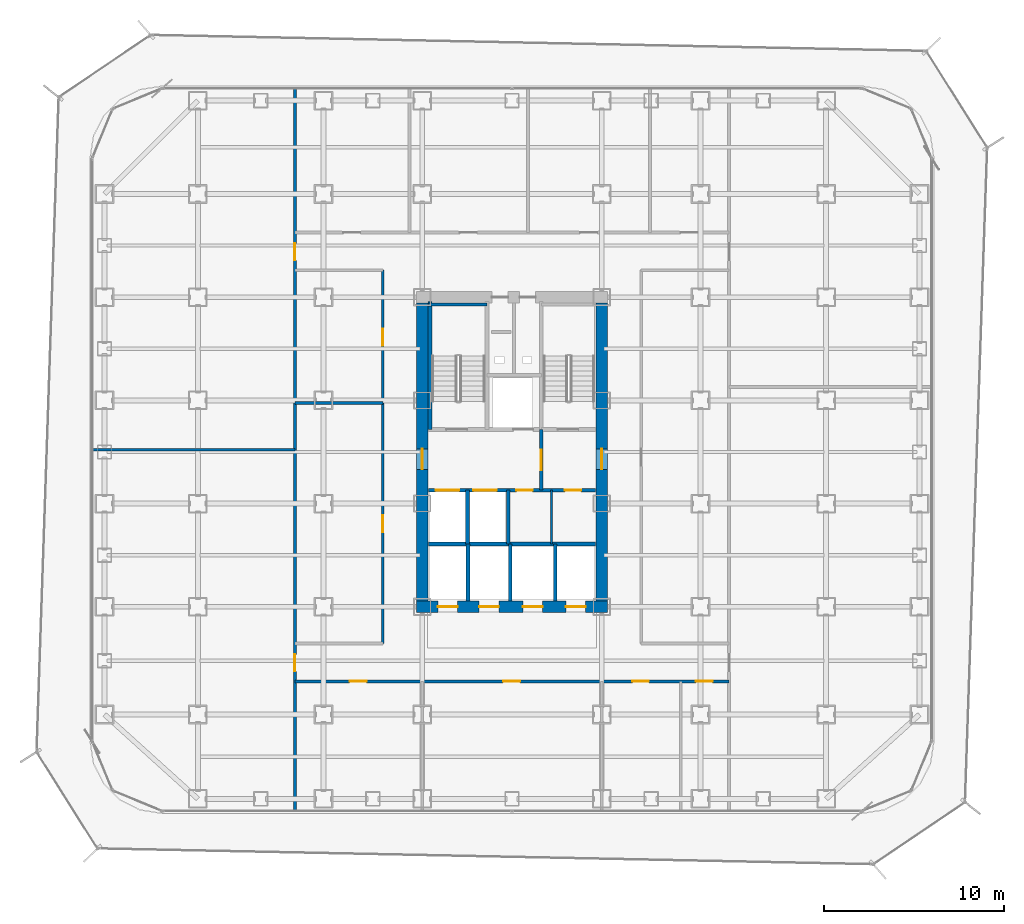
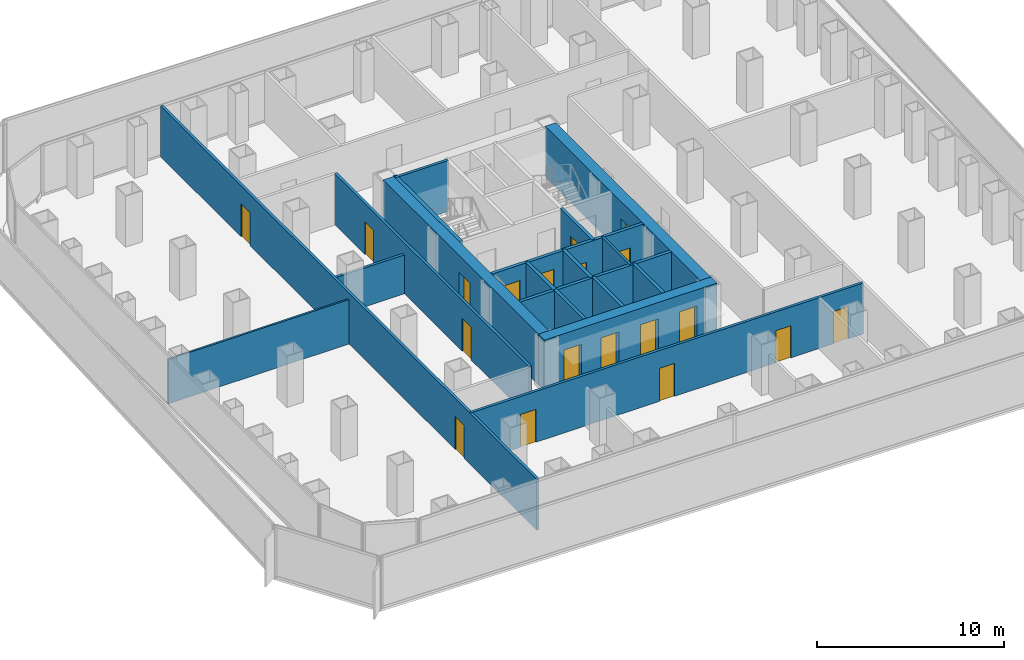
# One storey, part 17 of 21: 19 doors, 19 walls, 19 openings.
"""IFC4 building model written with IfcOpenShell, lengths in metres."""

from ifc_helpers import new_model, si_unit, direction, frame, frame_2d, origin, place, context, subcontext, project, spatial, rectangle, extrude, material, layer, layer_set, type_object, element, fill, save


model = new_model("IFC4")

# Units and contexts
model_context = context("Model", 3, precision=1e-05, world=origin(), true_north=direction((0.0, 1.0)))
body_context = subcontext(model_context, "Body", "Model", "MODEL_VIEW")
ifc_project = project(units=[si_unit("LENGTHUNIT", "METRE"), si_unit("AREAUNIT", "SQUARE_METRE"), si_unit("VOLUMEUNIT", "CUBIC_METRE"), si_unit("PLANEANGLEUNIT", "RADIAN"), si_unit("MASSUNIT", "GRAM", prefix="KILO")], contexts=[model_context])

# Site, building, storey
site_placement = place(None, origin())
site = spatial("IfcSite", under=ifc_project, at=site_placement, CompositionType="ELEMENT")
building_placement = place(site_placement, origin())
building = spatial("IfcBuilding", under=site, at=building_placement, Name="Kolveth Station Tower", CompositionType="ELEMENT")
storey_placement = place(building_placement, frame((0.0, 0.0, 29.699951171875)))
storey = spatial("IfcBuildingStorey", under=building, at=storey_placement, Name="L07", CompositionType="ELEMENT", Elevation=29.699951171875)

# Wall, openings, doors
ifc_material_1 = material(Name="Concrete C60/75", Category="concrete")
ifc_layer_1 = layer(ifc_material_1, 0.64990234375)
ifc_layer_set_1 = layer_set([ifc_layer_1], Name="Concrete C60/75")
wall_type_1 = type_object("IfcWallType", Name="Wall_CW-650", PredefinedType="SHEAR", material=ifc_layer_set_1)
wall_1_placement = place(storey_placement, frame((18.175048828125, 11.5, 0.0), z_axis=(0.0, 0.0, 1.0), x_axis=(1.0, 0.0, 0.0)))
wall_1 = element("IfcWall", 1, at=wall_1_placement, inside=storey, type_object=wall_type_1, Name="L07 Core RC Shear Wall S", PredefinedType="SHEAR", context=body_context, shape_type="SweptSolid", body=[
    extrude(rectangle(XDim=10.64990234375, YDim=0.64990234375, at=frame_2d((5.324951171875, 0.0))), origin(), (0.0, 0.0, 1.0), 3.320068359375),
])
opening_1_placement = place(wall_1_placement, frame((1.195068359375, 0.0, 0.0)))
opening_1 = element("IfcOpeningElement", 2, at=opening_1_placement, cuts=wall_1, Name="Opening LD1", PredefinedType="OPENING", context=body_context, shape_type="SweptSolid", body=[
    extrude(rectangle(XDim=1.10009765625, YDim=2.25, at=frame_2d((0.550048828125, 1.125))), frame((0.0, 0.3349609375, 0.0), z_axis=(0.0, -1.0, 0.0), x_axis=(1.0, 0.0, 0.0)), (0.0, 0.0, 1.0), 0.669921875),
])
opening_2_placement = place(wall_1_placement, frame((3.4951171875, 0.0, 0.0)))
opening_2 = element("IfcOpeningElement", 3, at=opening_2_placement, cuts=wall_1, Name="Opening LD1", PredefinedType="OPENING", context=body_context, shape_type="SweptSolid", body=[
    extrude(rectangle(XDim=1.10009765625, YDim=2.25, at=frame_2d((0.550048828125, 1.125))), frame((0.0, 0.3349609375, 0.0), z_axis=(0.0, -1.0, 0.0), x_axis=(1.0, 0.0, 0.0)), (0.0, 0.0, 1.0), 0.669921875),
])
opening_3_placement = place(wall_1_placement, frame((5.925048828125, 0.0, 0.0)))
opening_3 = element("IfcOpeningElement", 4, at=opening_3_placement, cuts=wall_1, Name="Opening LD1", PredefinedType="OPENING", context=body_context, shape_type="SweptSolid", body=[
    extrude(rectangle(XDim=1.10009765625, YDim=2.25, at=frame_2d((0.550048828125, 1.125))), frame((0.0, 0.3349609375, 0.0), z_axis=(0.0, -1.0, 0.0), x_axis=(1.0, 0.0, 0.0)), (0.0, 0.0, 1.0), 0.669921875),
])
opening_4_placement = place(wall_1_placement, frame((8.324951171875, 0.0, 0.0)))
opening_4 = element("IfcOpeningElement", 5, at=opening_4_placement, cuts=wall_1, Name="Opening LD1", PredefinedType="OPENING", context=body_context, shape_type="SweptSolid", body=[
    extrude(rectangle(XDim=1.10009765625, YDim=2.25, at=frame_2d((0.550048828125, 1.125))), frame((0.0, 0.3349609375, 0.0), z_axis=(0.0, -1.0, 0.0), x_axis=(1.0, 0.0, 0.0)), (0.0, 0.0, 1.0), 0.669921875),
])
ifc_material_2 = material(Name="Brushed stainless steel sliding landing doors", Category="steel")
door_type_1 = type_object("IfcDoorType", Name="Door_LD1", OperationType="NOTDEFINED", PredefinedType="DOOR", material=ifc_material_2)
door_1_placement = place(opening_1_placement, frame((1.10009765625, 0.0, 0.0), z_axis=(0.0, 0.0, 1.0), x_axis=(-1.0, 0.0, 0.0)))
door_1 = element("IfcDoor", 6, at=door_1_placement, inside=storey, type_object=door_type_1, Name="L07 Lift PL1 Landing Door", OperationType="DOUBLE_DOOR_SLIDING", OverallHeight=2.25, OverallWidth=1.10009765625, PredefinedType="DOOR", context=body_context, shape_type="SweptSolid", body=[
    extrude(rectangle(XDim=1.10009765625, YDim=2.25, at=frame_2d((0.550048828125, 1.125))), frame((0.0, 0.02490234375, 0.0), z_axis=(0.0, -1.0, 0.0), x_axis=(1.0, 0.0, 0.0)), (0.0, 0.0, 1.0), 0.050048828125),
])
fill(opening_1, door_1)
door_2_placement = place(opening_2_placement, frame((1.10009765625, 0.0, 0.0), z_axis=(0.0, 0.0, 1.0), x_axis=(-1.0, 0.0, 0.0)))
door_2 = element("IfcDoor", 7, at=door_2_placement, inside=storey, type_object=door_type_1, Name="L07 Lift PL2 Landing Door", OperationType="DOUBLE_DOOR_SLIDING", OverallHeight=2.25, OverallWidth=1.10009765625, PredefinedType="DOOR", context=body_context, shape_type="SweptSolid", body=[
    extrude(rectangle(XDim=1.10009765625, YDim=2.25, at=frame_2d((0.550048828125, 1.125))), frame((0.0, 0.02490234375, 0.0), z_axis=(0.0, -1.0, 0.0), x_axis=(1.0, 0.0, 0.0)), (0.0, 0.0, 1.0), 0.050048828125),
])
fill(opening_2, door_2)
door_3_placement = place(opening_3_placement, frame((1.10009765625, 0.0, 0.0), z_axis=(0.0, 0.0, 1.0), x_axis=(-1.0, 0.0, 0.0)))
door_3 = element("IfcDoor", 8, at=door_3_placement, inside=storey, type_object=door_type_1, Name="L07 Lift PM1 Landing Door", OperationType="DOUBLE_DOOR_SLIDING", OverallHeight=2.25, OverallWidth=1.10009765625, PredefinedType="DOOR", context=body_context, shape_type="SweptSolid", body=[
    extrude(rectangle(XDim=1.10009765625, YDim=2.25, at=frame_2d((0.550048828125, 1.125))), frame((0.0, 0.02490234375, 0.0), z_axis=(0.0, -1.0, 0.0), x_axis=(1.0, 0.0, 0.0)), (0.0, 0.0, 1.0), 0.050048828125),
])
fill(opening_3, door_3)
door_4_placement = place(opening_4_placement, frame((1.10009765625, 0.0, 0.0), z_axis=(0.0, 0.0, 1.0), x_axis=(-1.0, 0.0, 0.0)))
door_4 = element("IfcDoor", 9, at=door_4_placement, inside=storey, type_object=door_type_1, Name="L07 Lift PH1 Landing Door", OperationType="DOUBLE_DOOR_SLIDING", OverallHeight=2.25, OverallWidth=1.10009765625, PredefinedType="DOOR", context=body_context, shape_type="SweptSolid", body=[
    extrude(rectangle(XDim=1.10009765625, YDim=2.25, at=frame_2d((0.550048828125, 1.125))), frame((0.0, 0.02490234375, 0.0), z_axis=(0.0, -1.0, 0.0), x_axis=(1.0, 0.0, 0.0)), (0.0, 0.0, 1.0), 0.050048828125),
])
fill(opening_4, door_4)

# Wall, opening, door
wall_2_placement = place(storey_placement, frame((18.5, 11.824951171875, 0.0), z_axis=(0.0, 0.0, 1.0), x_axis=(0.0, 1.0, 0.0)))
wall_2 = element("IfcWall", 10, at=wall_2_placement, inside=storey, type_object=wall_type_1, Name="L07 Core RC Shear Wall W", PredefinedType="SHEAR", context=body_context, shape_type="SweptSolid", body=[
    extrude(rectangle(XDim=16.60009765625, YDim=0.64990234375, at=frame_2d((8.300048828125, 0.0))), origin(), (0.0, 0.0, 1.0), 3.320068359375),
])
opening_5_placement = place(wall_2_placement, frame((7.324951171875, 0.0, 0.0)))
opening_5 = element("IfcOpeningElement", 11, at=opening_5_placement, cuts=wall_2, Name="Opening FD1", PredefinedType="OPENING", context=body_context, shape_type="SweptSolid", body=[
    extrude(rectangle(XDim=1.14990234375, YDim=2.199951171875, at=frame_2d((0.574951171875, 1.10009765625))), frame((0.0, 0.3349609375, 0.0), z_axis=(0.0, -1.0, 0.0), x_axis=(1.0, 0.0, 0.0)), (0.0, 0.0, 1.0), 0.669921875),
])
ifc_material_3 = material(Name="Fire-rated Steel S355 leaf and frame", Category="steel")
door_type_2 = type_object("IfcDoorType", Name="Door_FD1", OperationType="NOTDEFINED", PredefinedType="DOOR", material=ifc_material_3)
door_5_placement = place(opening_5_placement, frame((1.14990234375, 0.0, 0.0), z_axis=(0.0, 0.0, 1.0), x_axis=(-1.0, 0.0, 0.0)))
door_5 = element("IfcDoor", 12, at=door_5_placement, inside=storey, type_object=door_type_2, Name="L07 West Corridor to Firefighting Lobby Door", OperationType="SINGLE_SWING_RIGHT", OverallHeight=2.199951171875, OverallWidth=1.14990234375, PredefinedType="DOOR", context=body_context, shape_type="SweptSolid", body=[
    extrude(rectangle(XDim=1.14990234375, YDim=2.199951171875, at=frame_2d((0.574951171875, 1.10009765625))), frame((0.0, 0.02490234375, 0.0), z_axis=(0.0, -1.0, 0.0), x_axis=(1.0, 0.0, 0.0)), (0.0, 0.0, 1.0), 0.050048828125),
])
fill(opening_5, door_5)

wall_3_placement = place(storey_placement, frame((28.5, 11.824951171875, 0.0), z_axis=(0.0, 0.0, 1.0), x_axis=(0.0, 1.0, 0.0)))
wall_3 = element("IfcWall", 13, at=wall_3_placement, inside=storey, type_object=wall_type_1, Name="L07 Core RC Shear Wall E", PredefinedType="SHEAR", context=body_context, shape_type="SweptSolid", body=[
    extrude(rectangle(XDim=16.60009765625, YDim=0.64990234375, at=frame_2d((8.300048828125, 0.0))), origin(), (0.0, 0.0, 1.0), 3.320068359375),
])
opening_6_placement = place(wall_3_placement, frame((7.324951171875, 0.0, 0.0)))
opening_6 = element("IfcOpeningElement", 14, at=opening_6_placement, cuts=wall_3, Name="Opening FD1", PredefinedType="OPENING", context=body_context, shape_type="SweptSolid", body=[
    extrude(rectangle(XDim=1.14990234375, YDim=2.199951171875, at=frame_2d((0.574951171875, 1.10009765625))), frame((0.0, 0.3349609375, 0.0), z_axis=(0.0, -1.0, 0.0), x_axis=(1.0, 0.0, 0.0)), (0.0, 0.0, 1.0), 0.669921875),
])
door_6_placement = place(opening_6_placement, origin())
door_6 = element("IfcDoor", 15, at=door_6_placement, inside=storey, type_object=door_type_2, Name="L07 East Corridor to Stair Lobby Door", OperationType="SINGLE_SWING_LEFT", OverallHeight=2.199951171875, OverallWidth=1.14990234375, PredefinedType="DOOR", context=body_context, shape_type="SweptSolid", body=[
    extrude(rectangle(XDim=1.14990234375, YDim=2.199951171875, at=frame_2d((0.574951171875, 1.10009765625))), frame((0.0, 0.02490234375, 0.0), z_axis=(0.0, -1.0, 0.0), x_axis=(1.0, 0.0, 0.0)), (0.0, 0.0, 1.0), 0.050048828125),
])
fill(opening_6, door_6)

# Walls
ifc_material_4 = material(Name="Framed gypsum partition")
ifc_layer_2 = layer(ifc_material_4, 0.114990234375)
ifc_layer_set_2 = layer_set([ifc_layer_2], Name="Framed gypsum partition")
wall_type_2 = type_object("IfcWallType", Name="Wall_IW-115", PredefinedType="PARTITIONING", material=ifc_layer_set_2)
wall_4_placement = place(storey_placement, frame((0.159912109375, 20.25, 0.0), z_axis=(0.0, 0.0, 1.0), x_axis=(1.0, 0.0, 0.0)))
element("IfcWall", 16, at=wall_4_placement, inside=storey, type_object=wall_type_2, Name="L07 Partition Wall WL-L07-OWM", PredefinedType="PARTITIONING", context=body_context, shape_type="SweptSolid", body=[
    extrude(rectangle(XDim=11.239990234375, YDim=0.114990234375, at=frame_2d((5.6201171875, 0.0))), origin(), (0.0, 0.0, 1.0), 2.89794921875),
])
ifc_material_5 = material(Name="Moisture-resistant gypsum partition")
ifc_layer_3 = layer(ifc_material_5, 0.135009765625)
ifc_layer_set_3 = layer_set([ifc_layer_3], Name="Moisture-resistant gypsum partition")
wall_type_3 = type_object("IfcWallType", Name="Wall_IW-135", PredefinedType="PARTITIONING", material=ifc_layer_set_3)
wall_5_placement = place(storey_placement, frame((25.699951171875, 15.0, 0.0), z_axis=(0.0, 0.0, 1.0), x_axis=(0.0, 1.0, 0.0)))
element("IfcWall", 17, at=wall_5_placement, inside=storey, type_object=wall_type_3, Name="L07 Partition Wall WL-L07-CB-V1", PredefinedType="PARTITIONING", context=body_context, shape_type="SweptSolid", body=[
    extrude(rectangle(XDim=3.0, YDim=0.135009765625, at=frame_2d((1.5, 0.0))), origin(), (0.0, 0.0, 1.0), 3.320068359375),
])
ifc_material_6 = material(Name="Acoustic double-stud gypsum partition")
ifc_layer_4 = layer(ifc_material_6, 0.1650390625)
ifc_layer_set_4 = layer_set([ifc_layer_4], Name="Acoustic double-stud gypsum partition")
wall_type_4 = type_object("IfcWallType", Name="Wall_IW-165", PredefinedType="PARTITIONING", material=ifc_layer_set_4)
wall_6_placement = place(storey_placement, frame((18.8349609375, 28.3349609375, 0.0), z_axis=(0.0, 0.0, 1.0), x_axis=(1.0, 0.0, 0.0)))
element("IfcWall", 18, at=wall_6_placement, inside=storey, type_object=wall_type_4, Name="L07 Stair Shaft Wall WL-L07-ST1-N", PredefinedType="PARTITIONING", context=body_context, shape_type="SweptSolid", body=[
    extrude(rectangle(XDim=3.275146484375, YDim=0.1650390625, at=frame_2d((1.6376953125, 0.0))), origin(), (0.0, 0.0, 1.0), 3.320068359375),
])

# Wall, openings, doors
wall_7_placement = place(storey_placement, frame((11.39990234375, 7.35009765625, 0.0), z_axis=(0.0, 0.0, 1.0), x_axis=(1.0, 0.0, 0.0)))
wall_7 = element("IfcWall", 19, at=wall_7_placement, inside=storey, type_object=wall_type_4, Name="L07 Partition Wall WL-L07-OS", PredefinedType="PARTITIONING", context=body_context, shape_type="SweptSolid", body=[
    extrude(rectangle(XDim=24.2001953125, YDim=0.1650390625, at=frame_2d((12.10009765625, 0.0))), origin(), (0.0, 0.0, 1.0), 3.320068359375),
])
opening_7_placement = place(wall_7_placement, frame((3.050048828125, 0.0, 0.0)))
opening_7 = element("IfcOpeningElement", 20, at=opening_7_placement, cuts=wall_7, Name="Opening ID1", PredefinedType="OPENING", context=body_context, shape_type="SweptSolid", body=[
    extrude(rectangle(XDim=0.949951171875, YDim=2.14990234375, at=frame_2d((0.47509765625, 1.074951171875))), frame((0.0, 0.092529296875, 0.0), z_axis=(0.0, -1.0, 0.0), x_axis=(1.0, 0.0, 0.0)), (0.0, 0.0, 1.0), 0.18505859375),
])
opening_8_placement = place(wall_7_placement, frame((11.60009765625, 0.0, 0.0)))
opening_8 = element("IfcOpeningElement", 21, at=opening_8_placement, cuts=wall_7, Name="Opening ID1", PredefinedType="OPENING", context=body_context, shape_type="SweptSolid", body=[
    extrude(rectangle(XDim=0.949951171875, YDim=2.14990234375, at=frame_2d((0.47509765625, 1.074951171875))), frame((0.0, 0.092529296875, 0.0), z_axis=(0.0, -1.0, 0.0), x_axis=(1.0, 0.0, 0.0)), (0.0, 0.0, 1.0), 0.18505859375),
])
opening_9_placement = place(wall_7_placement, frame((18.800048828125, 0.0, 0.0)))
opening_9 = element("IfcOpeningElement", 22, at=opening_9_placement, cuts=wall_7, Name="Opening ID2", PredefinedType="OPENING", context=body_context, shape_type="SweptSolid", body=[
    extrude(rectangle(XDim=0.919921875, YDim=2.10009765625, at=frame_2d((0.4599609375, 1.050048828125))), frame((0.0, 0.092529296875, 0.0), z_axis=(0.0, -1.0, 0.0), x_axis=(1.0, 0.0, 0.0)), (0.0, 0.0, 1.0), 0.18505859375),
])
opening_10_placement = place(wall_7_placement, frame((22.35009765625, 0.0, 0.0)))
opening_10 = element("IfcOpeningElement", 23, at=opening_10_placement, cuts=wall_7, Name="Opening ID2", PredefinedType="OPENING", context=body_context, shape_type="SweptSolid", body=[
    extrude(rectangle(XDim=0.919921875, YDim=2.10009765625, at=frame_2d((0.4599609375, 1.050048828125))), frame((0.0, 0.092529296875, 0.0), z_axis=(0.0, -1.0, 0.0), x_axis=(1.0, 0.0, 0.0)), (0.0, 0.0, 1.0), 0.18505859375),
])
ifc_material_7 = material(Name="Acoustic hardwood leaf and aluminium frame", Category="wood")
door_type_3 = type_object("IfcDoorType", Name="Door_ID1", OperationType="NOTDEFINED", PredefinedType="DOOR", material=ifc_material_7)
door_7_placement = place(opening_7_placement, frame((0.949951171875, 0.0, 0.0), z_axis=(0.0, 0.0, 1.0), x_axis=(-1.0, 0.0, 0.0)))
door_7 = element("IfcDoor", 24, at=door_7_placement, inside=storey, type_object=door_type_3, Name="L07 Open Plan Office S1 Door", OperationType="SINGLE_SWING_RIGHT", OverallHeight=2.14990234375, OverallWidth=0.949951171875, PredefinedType="DOOR", context=body_context, shape_type="SweptSolid", body=[
    extrude(rectangle(XDim=0.949951171875, YDim=2.14990234375, at=frame_2d((0.47509765625, 1.074951171875))), frame((0.0, 0.02490234375, 0.0), z_axis=(0.0, -1.0, 0.0), x_axis=(1.0, 0.0, 0.0)), (0.0, 0.0, 1.0), 0.050048828125),
])
fill(opening_7, door_7)
door_8_placement = place(opening_8_placement, frame((0.949951171875, 0.0, 0.0), z_axis=(0.0, 0.0, 1.0), x_axis=(-1.0, 0.0, 0.0)))
door_8 = element("IfcDoor", 25, at=door_8_placement, inside=storey, type_object=door_type_3, Name="L07 Open Plan Office S2 Door", OperationType="SINGLE_SWING_LEFT", OverallHeight=2.14990234375, OverallWidth=0.949951171875, PredefinedType="DOOR", context=body_context, shape_type="SweptSolid", body=[
    extrude(rectangle(XDim=0.949951171875, YDim=2.14990234375, at=frame_2d((0.47509765625, 1.074951171875))), frame((0.0, 0.02490234375, 0.0), z_axis=(0.0, -1.0, 0.0), x_axis=(1.0, 0.0, 0.0)), (0.0, 0.0, 1.0), 0.050048828125),
])
fill(opening_8, door_8)
ifc_material_8 = material(Name="Moisture-resistant hardwood leaf", Category="wood")
door_type_4 = type_object("IfcDoorType", Name="Door_ID2", OperationType="NOTDEFINED", PredefinedType="DOOR", material=ifc_material_8)
door_9_placement = place(opening_9_placement, frame((0.919921875, 0.0, 0.0), z_axis=(0.0, 0.0, 1.0), x_axis=(-1.0, 0.0, 0.0)))
door_9 = element("IfcDoor", 26, at=door_9_placement, inside=storey, type_object=door_type_4, Name="L07 Male Toilet Door", OperationType="SINGLE_SWING_RIGHT", OverallHeight=2.10009765625, OverallWidth=0.919921875, PredefinedType="DOOR", context=body_context, shape_type="SweptSolid", body=[
    extrude(rectangle(XDim=0.919921875, YDim=2.10009765625, at=frame_2d((0.4599609375, 1.050048828125))), frame((0.0, 0.02490234375, 0.0), z_axis=(0.0, -1.0, 0.0), x_axis=(1.0, 0.0, 0.0)), (0.0, 0.0, 1.0), 0.050048828125),
])
fill(opening_9, door_9)
door_10_placement = place(opening_10_placement, frame((0.919921875, 0.0, 0.0), z_axis=(0.0, 0.0, 1.0), x_axis=(-1.0, 0.0, 0.0)))
door_10 = element("IfcDoor", 27, at=door_10_placement, inside=storey, type_object=door_type_4, Name="L07 Accessible WC Door", OperationType="SINGLE_SWING_LEFT", OverallHeight=2.10009765625, OverallWidth=0.919921875, PredefinedType="DOOR", context=body_context, shape_type="SweptSolid", body=[
    extrude(rectangle(XDim=0.919921875, YDim=2.10009765625, at=frame_2d((0.4599609375, 1.050048828125))), frame((0.0, 0.02490234375, 0.0), z_axis=(0.0, -1.0, 0.0), x_axis=(1.0, 0.0, 0.0)), (0.0, 0.0, 1.0), 0.050048828125),
])
fill(opening_10, door_10)

wall_8_placement = place(storey_placement, frame((16.300048828125, 9.449951171875, 0.0), z_axis=(0.0, 0.0, 1.0), x_axis=(0.0, 1.0, 0.0)))
wall_8 = element("IfcWall", 28, at=wall_8_placement, inside=storey, type_object=wall_type_4, Name="L07 Partition Wall WL-L07-OCW", PredefinedType="PARTITIONING", context=body_context, shape_type="SweptSolid", body=[
    extrude(rectangle(XDim=20.800048828125, YDim=0.1650390625, at=frame_2d((10.39990234375, 0.0))), origin(), (0.0, 0.0, 1.0), 3.320068359375),
])
opening_11_placement = place(wall_8_placement, frame((6.199951171875, 0.0, 0.0)))
opening_11 = element("IfcOpeningElement", 29, at=opening_11_placement, cuts=wall_8, Name="Opening ID1", PredefinedType="OPENING", context=body_context, shape_type="SweptSolid", body=[
    extrude(rectangle(XDim=0.949951171875, YDim=2.14990234375, at=frame_2d((0.47509765625, 1.074951171875))), frame((0.0, 0.092529296875, 0.0), z_axis=(0.0, -1.0, 0.0), x_axis=(1.0, 0.0, 0.0)), (0.0, 0.0, 1.0), 0.18505859375),
])
opening_12_placement = place(wall_8_placement, frame((16.60009765625, 0.0, 0.0)))
opening_12 = element("IfcOpeningElement", 30, at=opening_12_placement, cuts=wall_8, Name="Opening ID1", PredefinedType="OPENING", context=body_context, shape_type="SweptSolid", body=[
    extrude(rectangle(XDim=0.949951171875, YDim=2.14990234375, at=frame_2d((0.47509765625, 1.074951171875))), frame((0.0, 0.092529296875, 0.0), z_axis=(0.0, -1.0, 0.0), x_axis=(1.0, 0.0, 0.0)), (0.0, 0.0, 1.0), 0.18505859375),
])
door_11_placement = place(opening_11_placement, frame((0.949951171875, 0.0, 0.0), z_axis=(0.0, 0.0, 1.0), x_axis=(-1.0, 0.0, 0.0)))
door_11 = element("IfcDoor", 31, at=door_11_placement, inside=storey, type_object=door_type_3, Name="L07 Internal Meeting Room W1 Door", OperationType="SINGLE_SWING_RIGHT", OverallHeight=2.14990234375, OverallWidth=0.949951171875, PredefinedType="DOOR", context=body_context, shape_type="SweptSolid", body=[
    extrude(rectangle(XDim=0.949951171875, YDim=2.14990234375, at=frame_2d((0.47509765625, 1.074951171875))), frame((0.0, 0.02490234375, 0.0), z_axis=(0.0, -1.0, 0.0), x_axis=(1.0, 0.0, 0.0)), (0.0, 0.0, 1.0), 0.050048828125),
])
fill(opening_11, door_11)
door_12_placement = place(opening_12_placement, frame((0.949951171875, 0.0, 0.0), z_axis=(0.0, 0.0, 1.0), x_axis=(-1.0, 0.0, 0.0)))
door_12 = element("IfcDoor", 32, at=door_12_placement, inside=storey, type_object=door_type_3, Name="L07 Print and Archive Room Door", OperationType="SINGLE_SWING_LEFT", OverallHeight=2.14990234375, OverallWidth=0.949951171875, PredefinedType="DOOR", context=body_context, shape_type="SweptSolid", body=[
    extrude(rectangle(XDim=0.949951171875, YDim=2.14990234375, at=frame_2d((0.47509765625, 1.074951171875))), frame((0.0, 0.02490234375, 0.0), z_axis=(0.0, -1.0, 0.0), x_axis=(1.0, 0.0, 0.0)), (0.0, 0.0, 1.0), 0.050048828125),
])
fill(opening_12, door_12)

wall_9_placement = place(storey_placement, frame((11.39990234375, 0.159912109375, 0.0), z_axis=(0.0, 0.0, 1.0), x_axis=(0.0, 1.0, 0.0)))
wall_9 = element("IfcWall", 33, at=wall_9_placement, inside=storey, type_object=wall_type_4, Name="L07 Partition Wall WL-L07-OWEND", PredefinedType="PARTITIONING", context=body_context, shape_type="SweptSolid", body=[
    extrude(rectangle(XDim=40.18017578125, YDim=0.1650390625, at=frame_2d((20.090087890625, 0.0))), origin(), (0.0, 0.0, 1.0), 3.320068359375),
])
opening_13_placement = place(wall_9_placement, frame((7.739990234375, 0.0, 0.0)))
opening_13 = element("IfcOpeningElement", 34, at=opening_13_placement, cuts=wall_9, Name="Opening ID1", PredefinedType="OPENING", context=body_context, shape_type="SweptSolid", body=[
    extrude(rectangle(XDim=0.949951171875, YDim=2.14990234375, at=frame_2d((0.47509765625, 1.074951171875))), frame((0.0, 0.092529296875, 0.0), z_axis=(0.0, -1.0, 0.0), x_axis=(1.0, 0.0, 0.0)), (0.0, 0.0, 1.0), 0.18505859375),
])
opening_14_placement = place(wall_9_placement, frame((30.639892578125, 0.0, 0.0)))
opening_14 = element("IfcOpeningElement", 35, at=opening_14_placement, cuts=wall_9, Name="Opening ID1", PredefinedType="OPENING", context=body_context, shape_type="SweptSolid", body=[
    extrude(rectangle(XDim=0.949951171875, YDim=2.14990234375, at=frame_2d((0.47509765625, 1.074951171875))), frame((0.0, 0.092529296875, 0.0), z_axis=(0.0, -1.0, 0.0), x_axis=(1.0, 0.0, 0.0)), (0.0, 0.0, 1.0), 0.18505859375),
])
door_13_placement = place(opening_13_placement, frame((0.949951171875, 0.0, 0.0), z_axis=(0.0, 0.0, 1.0), x_axis=(-1.0, 0.0, 0.0)))
door_13 = element("IfcDoor", 36, at=door_13_placement, inside=storey, type_object=door_type_3, Name="L07 West-South Wing Door", OperationType="SINGLE_SWING_LEFT", OverallHeight=2.14990234375, OverallWidth=0.949951171875, PredefinedType="DOOR", context=body_context, shape_type="SweptSolid", body=[
    extrude(rectangle(XDim=0.949951171875, YDim=2.14990234375, at=frame_2d((0.47509765625, 1.074951171875))), frame((0.0, 0.02490234375, 0.0), z_axis=(0.0, -1.0, 0.0), x_axis=(1.0, 0.0, 0.0)), (0.0, 0.0, 1.0), 0.050048828125),
])
fill(opening_13, door_13)
door_14_placement = place(opening_14_placement, frame((0.949951171875, 0.0, 0.0), z_axis=(0.0, 0.0, 1.0), x_axis=(-1.0, 0.0, 0.0)))
door_14 = element("IfcDoor", 37, at=door_14_placement, inside=storey, type_object=door_type_3, Name="L07 West-North Wing Door", OperationType="SINGLE_SWING_LEFT", OverallHeight=2.14990234375, OverallWidth=0.949951171875, PredefinedType="DOOR", context=body_context, shape_type="SweptSolid", body=[
    extrude(rectangle(XDim=0.949951171875, YDim=2.14990234375, at=frame_2d((0.47509765625, 1.074951171875))), frame((0.0, 0.02490234375, 0.0), z_axis=(0.0, -1.0, 0.0), x_axis=(1.0, 0.0, 0.0)), (0.0, 0.0, 1.0), 0.050048828125),
])
fill(opening_14, door_14)

# Wall
wall_10_placement = place(storey_placement, frame((11.39990234375, 22.85009765625, 0.0), z_axis=(0.0, 0.0, 1.0), x_axis=(1.0, 0.0, 0.0)))
element("IfcWall", 38, at=wall_10_placement, inside=storey, type_object=wall_type_4, Name="L07 Partition Wall WL-L07-OIW-P1", PredefinedType="PARTITIONING", context=body_context, shape_type="SweptSolid", body=[
    extrude(rectangle(XDim=4.900146484375, YDim=0.1650390625, at=frame_2d((2.4501953125, 0.0))), origin(), (0.0, 0.0, 1.0), 2.5390625),
])

# Wall, opening, door
ifc_material_9 = material(Name="Acoustic fire-rated gypsum blockwork", Category="masonry")
ifc_layer_5 = layer(ifc_material_9, 0.199951171875)
ifc_layer_set_5 = layer_set([ifc_layer_5], Name="Acoustic fire-rated gypsum blockwork")
wall_type_5 = type_object("IfcWallType", Name="Wall_IW-200", PredefinedType="PARTITIONING", material=ifc_layer_set_5)
wall_11_placement = place(storey_placement, frame((25.1298828125, 18.0, 0.0), z_axis=(0.0, 0.0, 1.0), x_axis=(0.0, 1.0, 0.0)))
wall_11 = element("IfcWall", 39, at=wall_11_placement, inside=storey, type_object=wall_type_5, Name="L07 Partition Wall WL-L07-FFL-E", PredefinedType="PARTITIONING", context=body_context, shape_type="SweptSolid", body=[
    extrude(rectangle(XDim=3.389892578125, YDim=0.199951171875, at=frame_2d((1.69482421875, 0.0))), origin(), (0.0, 0.0, 1.0), 3.320068359375),
])
opening_15_placement = place(wall_11_placement, frame((1.10009765625, 0.0, 0.0)))
opening_15 = element("IfcOpeningElement", 40, at=opening_15_placement, cuts=wall_11, Name="Opening FD1", PredefinedType="OPENING", context=body_context, shape_type="SweptSolid", body=[
    extrude(rectangle(XDim=1.14990234375, YDim=2.199951171875, at=frame_2d((0.574951171875, 1.10009765625))), frame((0.0, 0.10986328125, 0.0), z_axis=(0.0, -1.0, 0.0), x_axis=(1.0, 0.0, 0.0)), (0.0, 0.0, 1.0), 0.219970703125),
])
door_15_placement = place(opening_15_placement, origin())
door_15 = element("IfcDoor", 41, at=door_15_placement, inside=storey, type_object=door_type_2, Name="L07 Firefighting to Stair Lobby Door", OperationType="SINGLE_SWING_LEFT", OverallHeight=2.199951171875, OverallWidth=1.14990234375, PredefinedType="DOOR", context=body_context, shape_type="SweptSolid", body=[
    extrude(rectangle(XDim=1.14990234375, YDim=2.199951171875, at=frame_2d((0.574951171875, 1.10009765625))), frame((0.0, 0.02490234375, 0.0), z_axis=(0.0, -1.0, 0.0), x_axis=(1.0, 0.0, 0.0)), (0.0, 0.0, 1.0), 0.050048828125),
])
fill(opening_15, door_15)

# Wall, openings, doors
wall_12_placement = place(storey_placement, frame((18.8349609375, 18.0, 0.0), z_axis=(0.0, 0.0, 1.0), x_axis=(1.0, 0.0, 0.0)))
wall_12 = element("IfcWall", 42, at=wall_12_placement, inside=storey, type_object=wall_type_5, Name="L07 Partition Wall WL-L07-FFL-S", PredefinedType="PARTITIONING", context=body_context, shape_type="SweptSolid", body=[
    extrude(rectangle(XDim=9.330078125, YDim=0.199951171875, at=frame_2d((4.6650390625, 0.0))), origin(), (0.0, 0.0, 1.0), 3.320068359375),
])
opening_16_placement = place(wall_12_placement, frame((0.4150390625, 0.0, 0.0)))
opening_16 = element("IfcOpeningElement", 43, at=opening_16_placement, cuts=wall_12, Name="Opening LD2", PredefinedType="OPENING", context=body_context, shape_type="SweptSolid", body=[
    extrude(rectangle(XDim=1.300048828125, YDim=2.300048828125, at=frame_2d((0.64990234375, 1.14990234375))), frame((0.0, 0.10986328125, 0.0), z_axis=(0.0, -1.0, 0.0), x_axis=(1.0, 0.0, 0.0)), (0.0, 0.0, 1.0), 0.219970703125),
])
opening_17_placement = place(wall_12_placement, frame((2.514892578125, 0.0, 0.0)))
opening_17 = element("IfcOpeningElement", 44, at=opening_17_placement, cuts=wall_12, Name="Opening LD2", PredefinedType="OPENING", context=body_context, shape_type="SweptSolid", body=[
    extrude(rectangle(XDim=1.300048828125, YDim=2.300048828125, at=frame_2d((0.64990234375, 1.14990234375))), frame((0.0, 0.10986328125, 0.0), z_axis=(0.0, -1.0, 0.0), x_axis=(1.0, 0.0, 0.0)), (0.0, 0.0, 1.0), 0.219970703125),
])
opening_18_placement = place(wall_12_placement, frame((4.9150390625, 0.0, 0.0)))
opening_18 = element("IfcOpeningElement", 45, at=opening_18_placement, cuts=wall_12, Name="Opening RD1", PredefinedType="OPENING", context=body_context, shape_type="SweptSolid", body=[
    extrude(rectangle(XDim=0.89990234375, YDim=2.050048828125, at=frame_2d((0.449951171875, 1.02490234375))), frame((0.0, 0.10986328125, 0.0), z_axis=(0.0, -1.0, 0.0), x_axis=(1.0, 0.0, 0.0)), (0.0, 0.0, 1.0), 0.219970703125),
])
opening_19_placement = place(wall_12_placement, frame((7.614990234375, 0.0, 0.0)))
opening_19 = element("IfcOpeningElement", 46, at=opening_19_placement, cuts=wall_12, Name="Opening RD1", PredefinedType="OPENING", context=body_context, shape_type="SweptSolid", body=[
    extrude(rectangle(XDim=0.89990234375, YDim=2.050048828125, at=frame_2d((0.449951171875, 1.02490234375))), frame((0.0, 0.10986328125, 0.0), z_axis=(0.0, -1.0, 0.0), x_axis=(1.0, 0.0, 0.0)), (0.0, 0.0, 1.0), 0.219970703125),
])
ifc_material_10 = material(Name="Firefighting stainless steel sliding landing doors", Category="steel")
door_type_5 = type_object("IfcDoorType", Name="Door_LD2", OperationType="NOTDEFINED", PredefinedType="DOOR", material=ifc_material_10)
door_16_placement = place(opening_16_placement, origin())
door_16 = element("IfcDoor", 47, at=door_16_placement, inside=storey, type_object=door_type_5, Name="L07 Firefighting Lift FF1 Landing Door", OperationType="DOUBLE_DOOR_SLIDING", OverallHeight=2.300048828125, OverallWidth=1.300048828125, PredefinedType="DOOR", context=body_context, shape_type="SweptSolid", body=[
    extrude(rectangle(XDim=1.300048828125, YDim=2.300048828125, at=frame_2d((0.64990234375, 1.14990234375))), frame((0.0, 0.02490234375, 0.0), z_axis=(0.0, -1.0, 0.0), x_axis=(1.0, 0.0, 0.0)), (0.0, 0.0, 1.0), 0.050048828125),
])
fill(opening_16, door_16)
door_17_placement = place(opening_17_placement, origin())
door_17 = element("IfcDoor", 48, at=door_17_placement, inside=storey, type_object=door_type_5, Name="L07 Firefighting Lift FF2 Landing Door", OperationType="DOUBLE_DOOR_SLIDING", OverallHeight=2.300048828125, OverallWidth=1.300048828125, PredefinedType="DOOR", context=body_context, shape_type="SweptSolid", body=[
    extrude(rectangle(XDim=1.300048828125, YDim=2.300048828125, at=frame_2d((0.64990234375, 1.14990234375))), frame((0.0, 0.02490234375, 0.0), z_axis=(0.0, -1.0, 0.0), x_axis=(1.0, 0.0, 0.0)), (0.0, 0.0, 1.0), 0.050048828125),
])
fill(opening_17, door_17)
ifc_material_11 = material(Name="Fire-rated Steel S355 riser access leaf", Category="steel")
door_type_6 = type_object("IfcDoorType", Name="Door_RD1", OperationType="NOTDEFINED", PredefinedType="DOOR", material=ifc_material_11)
door_18_placement = place(opening_18_placement, frame((0.89990234375, 0.0, 0.0), z_axis=(0.0, 0.0, 1.0), x_axis=(-1.0, 0.0, 0.0)))
door_18 = element("IfcDoor", 49, at=door_18_placement, inside=storey, type_object=door_type_6, Name="L07 Core Accessible WC Door", OperationType="SINGLE_SWING_RIGHT", OverallHeight=2.050048828125, OverallWidth=0.89990234375, PredefinedType="DOOR", context=body_context, shape_type="SweptSolid", body=[
    extrude(rectangle(XDim=0.89990234375, YDim=2.050048828125, at=frame_2d((0.449951171875, 1.02490234375))), frame((0.0, 0.02490234375, 0.0), z_axis=(0.0, -1.0, 0.0), x_axis=(1.0, 0.0, 0.0)), (0.0, 0.0, 1.0), 0.050048828125),
])
fill(opening_18, door_18)
door_19_placement = place(opening_19_placement, frame((0.89990234375, 0.0, 0.0), z_axis=(0.0, 0.0, 1.0), x_axis=(-1.0, 0.0, 0.0)))
door_19 = element("IfcDoor", 50, at=door_19_placement, inside=storey, type_object=door_type_6, Name="L07 Core Cleaner Store Door", OperationType="SINGLE_SWING_LEFT", OverallHeight=2.050048828125, OverallWidth=0.89990234375, PredefinedType="DOOR", context=body_context, shape_type="SweptSolid", body=[
    extrude(rectangle(XDim=0.89990234375, YDim=2.050048828125, at=frame_2d((0.449951171875, 1.02490234375))), frame((0.0, 0.02490234375, 0.0), z_axis=(0.0, -1.0, 0.0), x_axis=(1.0, 0.0, 0.0)), (0.0, 0.0, 1.0), 0.050048828125),
])
fill(opening_19, door_19)

# Walls
for number, where, z_axis, x_axis, name in (
    (51, (21.02001953125, 15.0, 0.0), (0.0, 0.0, 1.0), (0.0, 1.0, 0.0), "L07 Partition Wall WL-L07-FF12"),
    (52, (23.300048828125, 15.0, 0.0), (0.0, 0.0, 1.0), (0.0, 1.0, 0.0), "L07 Partition Wall WL-L07-FF2E"),
):
    element("IfcWall", number, at=place(storey_placement, frame(where, z_axis=z_axis, x_axis=x_axis)), inside=storey, type_object=wall_type_5, Name=name, PredefinedType="PARTITIONING", context=body_context, shape_type="SweptSolid", body=[
        extrude(rectangle(XDim=3.0, YDim=0.199951171875, at=frame_2d((1.5, 0.0))), origin(), (0.0, 0.0, 1.0), 3.320068359375),
    ])
wall_13_placement = place(storey_placement, frame((18.8349609375, 15.0, 0.0), z_axis=(0.0, 0.0, 1.0), x_axis=(1.0, 0.0, 0.0)))
element("IfcWall", 53, at=wall_13_placement, inside=storey, type_object=wall_type_5, Name="L07 Partition Wall WL-L07-BOH-S", PredefinedType="PARTITIONING", context=body_context, shape_type="SweptSolid", body=[
    extrude(rectangle(XDim=9.330078125, YDim=0.199951171875, at=frame_2d((4.6650390625, 0.0))), origin(), (0.0, 0.0, 1.0), 3.320068359375),
])
for number, where, z_axis, x_axis, name in (
    (54, (21.050048828125, 11.8349609375, 0.0), (0.0, 0.0, 1.0), (0.0, 1.0, 0.0), "L07 Partition Wall WL-L07-PL12"),
    (55, (23.39990234375, 11.8349609375, 0.0), (0.0, 0.0, 1.0), (0.0, 1.0, 0.0), "L07 Partition Wall WL-L07-PL2E"),
    (56, (25.89990234375, 11.8349609375, 0.0), (0.0, 0.0, 1.0), (0.0, 1.0, 0.0), "L07 Partition Wall WL-L07-PMPH"),
):
    element("IfcWall", number, at=place(storey_placement, frame(where, z_axis=z_axis, x_axis=x_axis)), inside=storey, type_object=wall_type_5, Name=name, PredefinedType="PARTITIONING", context=body_context, shape_type="SweptSolid", body=[
        extrude(rectangle(XDim=3.1650390625, YDim=0.199951171875, at=frame_2d((1.58251953125, 0.0))), origin(), (0.0, 0.0, 1.0), 3.320068359375),
    ])
ifc_material_12 = material(Name="Concrete C40/50", Category="concrete")
ifc_layer_6 = layer(ifc_material_12, 0.219970703125)
ifc_layer_set_6 = layer_set([ifc_layer_6], Name="Concrete C40/50")
wall_type_6 = type_object("IfcWallType", Name="Wall_IW-220", PredefinedType="SOLIDWALL", material=ifc_layer_set_6)
wall_14_placement = place(storey_placement, frame((18.929931640625, 21.389892578125, 0.0), z_axis=(0.0, 0.0, 1.0), x_axis=(0.0, 1.0, 0.0)))
element("IfcWall", 57, at=wall_14_placement, inside=storey, type_object=wall_type_6, Name="L07 Stair Shaft Wall WL-L07-ST1-W", PredefinedType="SOLIDWALL", context=body_context, shape_type="SweptSolid", body=[
    extrude(rectangle(XDim=7.110107421875, YDim=0.219970703125, at=frame_2d((3.55517578125, 0.0))), origin(), (0.0, 0.0, 1.0), 3.320068359375),
])

save(model, "model.ifc")
